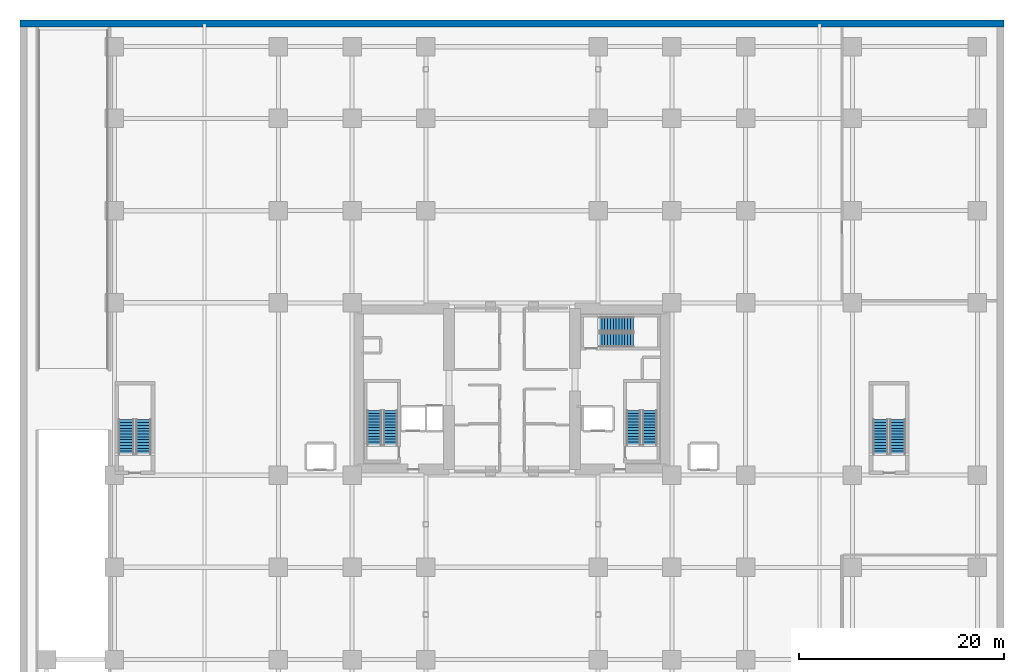
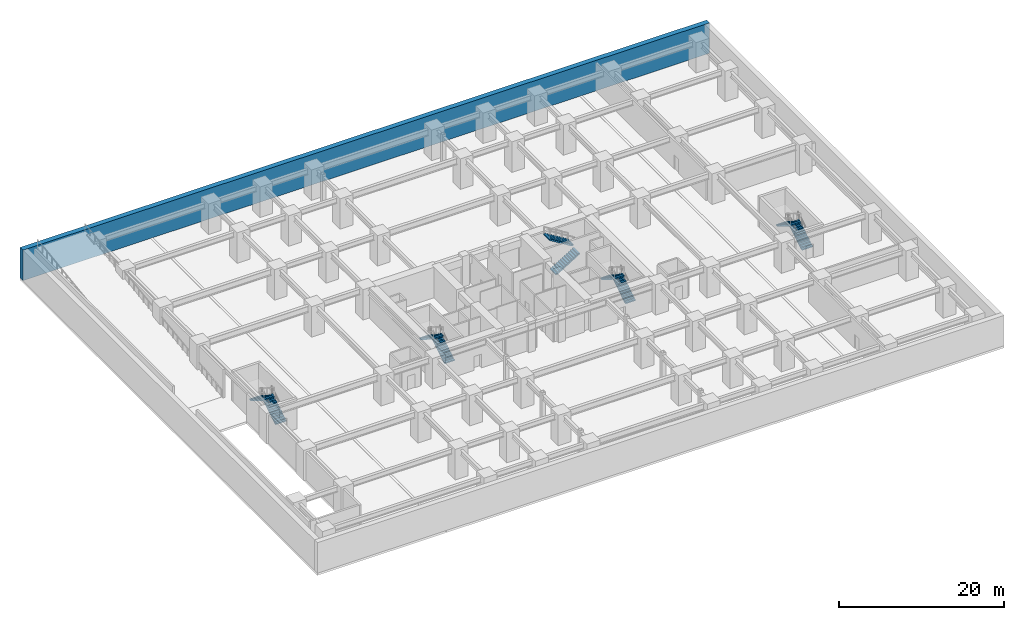
# One storey, part 12 of 20: 10 stair flights, 1 wall, 5 elements without a shape of their own.
"""IFC4 building model written with IfcOpenShell, lengths in metres."""

from ifc_helpers import new_model, si_unit, direction, frame, frame_2d, origin, place, context, subcontext, project, spatial, polyline, rectangle, outline, extrude, material, layer, layer_set, type_object, element, aggregate, save


model = new_model("IFC4")

# Units and contexts
model_context = context("Model", 3, precision=1e-05, world=origin(), true_north=direction((0.0, 1.0)))
body_context = subcontext(model_context, "Body", "Model", "MODEL_VIEW")
ifc_project = project(units=[si_unit("LENGTHUNIT", "METRE"), si_unit("AREAUNIT", "SQUARE_METRE"), si_unit("VOLUMEUNIT", "CUBIC_METRE"), si_unit("PLANEANGLEUNIT", "RADIAN"), si_unit("MASSUNIT", "GRAM", prefix="KILO")], contexts=[model_context])

# Site, building, storey
site_placement = place(None, origin())
site = spatial("IfcSite", under=ifc_project, at=site_placement, CompositionType="ELEMENT")
building_placement = place(site_placement, origin())
building = spatial("IfcBuilding", under=site, at=building_placement, Name="Kiyonajd Concourse Tower", CompositionType="ELEMENT")
storey_placement = place(building_placement, frame((0.0, 0.0, -4.5)))
storey = spatial("IfcBuildingStorey", under=building, at=storey_placement, Name="B1", CompositionType="ELEMENT", Elevation=-4.5)

# Wall
ifc_material_1 = material(Name="Concrete C50/60", Category="concrete")
ifc_layer = layer(ifc_material_1, 0.699951171875)
ifc_layer_set = layer_set([ifc_layer], Name="Concrete C50/60")
wall_type = type_object("IfcWallType", Name="WL-RET-700", PredefinedType="SOLIDWALL", material=ifc_layer_set)
wall_placement = place(storey_placement, frame((96.0, 71.64990234375, 0.0), z_axis=(0.0, 0.0, 1.0), x_axis=(-1.0, 0.0, 0.0)))
element("IfcWall", 1, at=wall_placement, inside=storey, type_object=wall_type, Name="B1 North Basement Retaining Wall", PredefinedType="SOLIDWALL", context=body_context, shape_type="SweptSolid", body=[
    extrude(rectangle(XDim=96.0, YDim=0.699951171875, at=frame_2d((48.0, 0.0))), origin(), (0.0, 0.0, 1.0), 4.5),
])

# Stair, stair flights
ifc_material_2 = material(Name="Concrete C40/50", Category="concrete")
stair_type_1 = type_object("IfcStairType", Name="ST-POD-1500", PredefinedType="HALF_TURN_STAIR", material=ifc_material_2)
stair_1_placement = place(storey_placement, origin())
stair_1 = element("IfcStair", 2, at=stair_1_placement, inside=storey, type_object=stair_type_1, Name="B1 West Podium Exit Stair ST4", PredefinedType="HALF_TURN_STAIR")
stair_flight_type_1 = type_object("IfcStairFlightType", Name="SF-POD-1500", PredefinedType="STRAIGHT", material=ifc_material_2)
stair_flight_1_placement = place(storey_placement, frame((12.050048828125, 29.64990234375, 0.0), z_axis=(0.0, 0.0, 1.0), x_axis=(0.0, 1.0, 0.0)))
stair_flight_1 = element("IfcStairFlight", 3, at=stair_flight_1_placement, type_object=stair_flight_type_1, Name="ST4 flight 1", NumberOfRisers=13, NumberOfTreads=12, PredefinedType="STRAIGHT", RiserHeight=0.173076923, TreadLength=0.28, context=body_context, shape_type="SweptSolid", body=[
    extrude(outline(polyline([(0.0, 0.0), (0.0, 0.173095703125), (0.280029296875, 0.173095703125), (0.280029296875, 0.34619140625), (0.56005859375, 0.34619140625), (0.56005859375, 0.519287109375), (0.840087890625, 0.519287109375), (0.840087890625, 0.6923828125), (1.1201171875, 0.6923828125), (1.1201171875, 0.865478515625), (1.39990234375, 0.865478515625), (1.39990234375, 1.03857421875), (1.679931640625, 1.03857421875), (1.679931640625, 1.21142578125), (1.9599609375, 1.21142578125), (1.9599609375, 1.384521484375), (2.239990234375, 1.384521484375), (2.239990234375, 1.5576171875), (2.52001953125, 1.5576171875), (2.52001953125, 1.730712890625), (2.800048828125, 1.730712890625), (2.800048828125, 1.90380859375), (3.080078125, 1.90380859375), (3.080078125, 2.076904296875), (3.360107421875, 2.076904296875), (3.360107421875, 2.25), (3.360107421875, 1.900634765625), (0.28515625, 0.0), (0.0, 0.0)])), frame((0.0, 0.75, 0.0), z_axis=(0.0, -1.0, 0.0), x_axis=(1.0, 0.0, 0.0)), (0.0, 0.0, 1.0), 1.5),
])
stair_flight_2_placement = place(storey_placement, frame((10.35009765625, 33.010009765625, 2.25), z_axis=(0.0, 0.0, 1.0), x_axis=(0.0, -1.0, 0.0)))
stair_flight_2 = element("IfcStairFlight", 4, at=stair_flight_2_placement, type_object=stair_flight_type_1, Name="ST4 flight 2", NumberOfRisers=13, NumberOfTreads=12, PredefinedType="STRAIGHT", RiserHeight=0.173076923, TreadLength=0.28, context=body_context, shape_type="SweptSolid", body=[
    extrude(outline(polyline([(0.0, 0.0), (0.0, 0.173095703125), (0.280029296875, 0.173095703125), (0.280029296875, 0.34619140625), (0.56005859375, 0.34619140625), (0.56005859375, 0.519287109375), (0.840087890625, 0.519287109375), (0.840087890625, 0.6923828125), (1.1201171875, 0.6923828125), (1.1201171875, 0.865478515625), (1.39990234375, 0.865478515625), (1.39990234375, 1.03857421875), (1.679931640625, 1.03857421875), (1.679931640625, 1.21142578125), (1.9599609375, 1.21142578125), (1.9599609375, 1.384521484375), (2.239990234375, 1.384521484375), (2.239990234375, 1.5576171875), (2.52001953125, 1.5576171875), (2.52001953125, 1.730712890625), (2.800048828125, 1.730712890625), (2.800048828125, 1.90380859375), (3.080078125, 1.90380859375), (3.080078125, 2.076904296875), (3.360107421875, 2.076904296875), (3.360107421875, 2.25), (3.360107421875, 1.900634765625), (0.28515625, 0.0), (0.0, 0.0)])), frame((0.0, 0.75, 0.0), z_axis=(0.0, -1.0, 0.0), x_axis=(1.0, 0.0, 0.0)), (0.0, 0.0, 1.0), 1.5),
])
aggregate(stair_1, [stair_flight_1, stair_flight_2])

stair_2_placement = place(storey_placement, origin())
stair_2 = element("IfcStair", 5, at=stair_2_placement, inside=storey, type_object=stair_type_1, Name="B1 East Podium Exit Stair ST5", PredefinedType="HALF_TURN_STAIR")
stair_flight_3_placement = place(storey_placement, frame((85.64990234375, 29.64990234375, 0.0), z_axis=(0.0, 0.0, 1.0), x_axis=(0.0, 1.0, 0.0)))
stair_flight_3 = element("IfcStairFlight", 6, at=stair_flight_3_placement, type_object=stair_flight_type_1, Name="ST5 flight 1", NumberOfRisers=13, NumberOfTreads=12, PredefinedType="STRAIGHT", RiserHeight=0.173076923, TreadLength=0.28, context=body_context, shape_type="SweptSolid", body=[
    extrude(outline(polyline([(0.0, 0.0), (0.0, 0.173095703125), (0.280029296875, 0.173095703125), (0.280029296875, 0.34619140625), (0.56005859375, 0.34619140625), (0.56005859375, 0.519287109375), (0.840087890625, 0.519287109375), (0.840087890625, 0.6923828125), (1.1201171875, 0.6923828125), (1.1201171875, 0.865478515625), (1.39990234375, 0.865478515625), (1.39990234375, 1.03857421875), (1.679931640625, 1.03857421875), (1.679931640625, 1.21142578125), (1.9599609375, 1.21142578125), (1.9599609375, 1.384521484375), (2.239990234375, 1.384521484375), (2.239990234375, 1.5576171875), (2.52001953125, 1.5576171875), (2.52001953125, 1.730712890625), (2.800048828125, 1.730712890625), (2.800048828125, 1.90380859375), (3.080078125, 1.90380859375), (3.080078125, 2.076904296875), (3.360107421875, 2.076904296875), (3.360107421875, 2.25), (3.360107421875, 1.900634765625), (0.28515625, 0.0), (0.0, 0.0)])), frame((0.0, 0.75, 0.0), z_axis=(0.0, -1.0, 0.0), x_axis=(1.0, 0.0, 0.0)), (0.0, 0.0, 1.0), 1.5),
])
stair_flight_4_placement = place(storey_placement, frame((83.949951171875, 33.010009765625, 2.25), z_axis=(0.0, 0.0, 1.0), x_axis=(0.0, -1.0, 0.0)))
stair_flight_4 = element("IfcStairFlight", 7, at=stair_flight_4_placement, type_object=stair_flight_type_1, Name="ST5 flight 2", NumberOfRisers=13, NumberOfTreads=12, PredefinedType="STRAIGHT", RiserHeight=0.173076923, TreadLength=0.28, context=body_context, shape_type="SweptSolid", body=[
    extrude(outline(polyline([(0.0, 0.0), (0.0, 0.173095703125), (0.280029296875, 0.173095703125), (0.280029296875, 0.34619140625), (0.56005859375, 0.34619140625), (0.56005859375, 0.519287109375), (0.840087890625, 0.519287109375), (0.840087890625, 0.6923828125), (1.1201171875, 0.6923828125), (1.1201171875, 0.865478515625), (1.39990234375, 0.865478515625), (1.39990234375, 1.03857421875), (1.679931640625, 1.03857421875), (1.679931640625, 1.21142578125), (1.9599609375, 1.21142578125), (1.9599609375, 1.384521484375), (2.239990234375, 1.384521484375), (2.239990234375, 1.5576171875), (2.52001953125, 1.5576171875), (2.52001953125, 1.730712890625), (2.800048828125, 1.730712890625), (2.800048828125, 1.90380859375), (3.080078125, 1.90380859375), (3.080078125, 2.076904296875), (3.360107421875, 2.076904296875), (3.360107421875, 2.25), (3.360107421875, 1.900634765625), (0.28515625, 0.0), (0.0, 0.0)])), frame((0.0, 0.75, 0.0), z_axis=(0.0, -1.0, 0.0), x_axis=(1.0, 0.0, 0.0)), (0.0, 0.0, 1.0), 1.5),
])
aggregate(stair_2, [stair_flight_3, stair_flight_4])

stair_type_2 = type_object("IfcStairType", Name="ST-DLG-26R", PredefinedType="HALF_TURN_STAIR", material=ifc_material_2)
stair_3_placement = place(storey_placement, origin())
stair_3 = element("IfcStair", 8, at=stair_3_placement, inside=storey, type_object=stair_type_2, Name="B1 Protected Exit Stair ST1", PredefinedType="HALF_TURN_STAIR")
stair_flight_type_2 = type_object("IfcStairFlightType", Name="SF-STR-26R", PredefinedType="STRAIGHT", material=ifc_material_2)
stair_flight_5_placement = place(storey_placement, frame((36.14990234375, 30.550048828125, 0.0), z_axis=(0.0, 0.0, 1.0), x_axis=(0.0, 1.0, 0.0)))
stair_flight_5 = element("IfcStairFlight", 9, at=stair_flight_5_placement, type_object=stair_flight_type_2, Name="ST1 flight 1", NumberOfRisers=13, NumberOfTreads=12, PredefinedType="STRAIGHT", RiserHeight=0.173076923, TreadLength=0.28, context=body_context, shape_type="SweptSolid", body=[
    extrude(outline(polyline([(0.0, 0.0), (0.0, 0.173095703125), (0.280029296875, 0.173095703125), (0.280029296875, 0.34619140625), (0.56005859375, 0.34619140625), (0.56005859375, 0.519287109375), (0.840087890625, 0.519287109375), (0.840087890625, 0.6923828125), (1.1201171875, 0.6923828125), (1.1201171875, 0.865478515625), (1.39990234375, 0.865478515625), (1.39990234375, 1.03857421875), (1.679931640625, 1.03857421875), (1.679931640625, 1.21142578125), (1.9599609375, 1.21142578125), (1.9599609375, 1.384521484375), (2.239990234375, 1.384521484375), (2.239990234375, 1.5576171875), (2.52001953125, 1.5576171875), (2.52001953125, 1.730712890625), (2.800048828125, 1.730712890625), (2.800048828125, 1.90380859375), (3.080078125, 1.90380859375), (3.080078125, 2.076904296875), (3.360107421875, 2.076904296875), (3.360107421875, 2.25), (3.360107421875, 1.900634765625), (0.28515625, 0.0), (0.0, 0.0)])), frame((0.0, 0.699951171875, 0.0), z_axis=(0.0, -1.0, 0.0), x_axis=(1.0, 0.0, 0.0)), (0.0, 0.0, 1.0), 1.39990234375),
])
stair_flight_6_placement = place(storey_placement, frame((34.550048828125, 33.909912109375, 2.25), z_axis=(0.0, 0.0, 1.0), x_axis=(0.0, -1.0, 0.0)))
stair_flight_6 = element("IfcStairFlight", 10, at=stair_flight_6_placement, type_object=stair_flight_type_2, Name="ST1 flight 2", NumberOfRisers=13, NumberOfTreads=12, PredefinedType="STRAIGHT", RiserHeight=0.173076923, TreadLength=0.28, context=body_context, shape_type="SweptSolid", body=[
    extrude(outline(polyline([(0.0, 0.0), (0.0, 0.173095703125), (0.280029296875, 0.173095703125), (0.280029296875, 0.34619140625), (0.56005859375, 0.34619140625), (0.56005859375, 0.519287109375), (0.840087890625, 0.519287109375), (0.840087890625, 0.6923828125), (1.1201171875, 0.6923828125), (1.1201171875, 0.865478515625), (1.39990234375, 0.865478515625), (1.39990234375, 1.03857421875), (1.679931640625, 1.03857421875), (1.679931640625, 1.21142578125), (1.9599609375, 1.21142578125), (1.9599609375, 1.384521484375), (2.239990234375, 1.384521484375), (2.239990234375, 1.5576171875), (2.52001953125, 1.5576171875), (2.52001953125, 1.730712890625), (2.800048828125, 1.730712890625), (2.800048828125, 1.90380859375), (3.080078125, 1.90380859375), (3.080078125, 2.076904296875), (3.360107421875, 2.076904296875), (3.360107421875, 2.25), (3.360107421875, 1.900634765625), (0.28515625, 0.0), (0.0, 0.0)])), frame((0.0, 0.699951171875, 0.0), z_axis=(0.0, -1.0, 0.0), x_axis=(1.0, 0.0, 0.0)), (0.0, 0.0, 1.0), 1.39990234375),
])
aggregate(stair_3, [stair_flight_5, stair_flight_6])

stair_4_placement = place(storey_placement, origin())
stair_4 = element("IfcStair", 11, at=stair_4_placement, inside=storey, type_object=stair_type_2, Name="B1 Protected Exit Stair ST2", PredefinedType="HALF_TURN_STAIR")
stair_flight_7_placement = place(storey_placement, frame((61.449951171875, 30.550048828125, 0.0), z_axis=(0.0, 0.0, 1.0), x_axis=(0.0, 1.0, 0.0)))
stair_flight_7 = element("IfcStairFlight", 12, at=stair_flight_7_placement, type_object=stair_flight_type_2, Name="ST2 flight 1", NumberOfRisers=13, NumberOfTreads=12, PredefinedType="STRAIGHT", RiserHeight=0.173076923, TreadLength=0.28, context=body_context, shape_type="SweptSolid", body=[
    extrude(outline(polyline([(0.0, 0.0), (0.0, 0.173095703125), (0.280029296875, 0.173095703125), (0.280029296875, 0.34619140625), (0.56005859375, 0.34619140625), (0.56005859375, 0.519287109375), (0.840087890625, 0.519287109375), (0.840087890625, 0.6923828125), (1.1201171875, 0.6923828125), (1.1201171875, 0.865478515625), (1.39990234375, 0.865478515625), (1.39990234375, 1.03857421875), (1.679931640625, 1.03857421875), (1.679931640625, 1.21142578125), (1.9599609375, 1.21142578125), (1.9599609375, 1.384521484375), (2.239990234375, 1.384521484375), (2.239990234375, 1.5576171875), (2.52001953125, 1.5576171875), (2.52001953125, 1.730712890625), (2.800048828125, 1.730712890625), (2.800048828125, 1.90380859375), (3.080078125, 1.90380859375), (3.080078125, 2.076904296875), (3.360107421875, 2.076904296875), (3.360107421875, 2.25), (3.360107421875, 1.900634765625), (0.28515625, 0.0), (0.0, 0.0)])), frame((0.0, 0.699951171875, 0.0), z_axis=(0.0, -1.0, 0.0), x_axis=(1.0, 0.0, 0.0)), (0.0, 0.0, 1.0), 1.39990234375),
])
stair_flight_8_placement = place(storey_placement, frame((59.85009765625, 33.909912109375, 2.25), z_axis=(0.0, 0.0, 1.0), x_axis=(0.0, -1.0, 0.0)))
stair_flight_8 = element("IfcStairFlight", 13, at=stair_flight_8_placement, type_object=stair_flight_type_2, Name="ST2 flight 2", NumberOfRisers=13, NumberOfTreads=12, PredefinedType="STRAIGHT", RiserHeight=0.173076923, TreadLength=0.28, context=body_context, shape_type="SweptSolid", body=[
    extrude(outline(polyline([(0.0, 0.0), (0.0, 0.173095703125), (0.280029296875, 0.173095703125), (0.280029296875, 0.34619140625), (0.56005859375, 0.34619140625), (0.56005859375, 0.519287109375), (0.840087890625, 0.519287109375), (0.840087890625, 0.6923828125), (1.1201171875, 0.6923828125), (1.1201171875, 0.865478515625), (1.39990234375, 0.865478515625), (1.39990234375, 1.03857421875), (1.679931640625, 1.03857421875), (1.679931640625, 1.21142578125), (1.9599609375, 1.21142578125), (1.9599609375, 1.384521484375), (2.239990234375, 1.384521484375), (2.239990234375, 1.5576171875), (2.52001953125, 1.5576171875), (2.52001953125, 1.730712890625), (2.800048828125, 1.730712890625), (2.800048828125, 1.90380859375), (3.080078125, 1.90380859375), (3.080078125, 2.076904296875), (3.360107421875, 2.076904296875), (3.360107421875, 2.25), (3.360107421875, 1.900634765625), (0.28515625, 0.0), (0.0, 0.0)])), frame((0.0, 0.699951171875, 0.0), z_axis=(0.0, -1.0, 0.0), x_axis=(1.0, 0.0, 0.0)), (0.0, 0.0, 1.0), 1.39990234375),
])
aggregate(stair_4, [stair_flight_7, stair_flight_8])

stair_5_placement = place(storey_placement, origin())
stair_5 = element("IfcStair", 14, at=stair_5_placement, inside=storey, type_object=stair_type_2, Name="B1 Protected Exit Stair ST3", PredefinedType="HALF_TURN_STAIR")
stair_flight_9_placement = place(storey_placement, frame((56.47998046875, 40.780029296875, 0.0), z_axis=(0.0, 0.0, 1.0), x_axis=(1.0, 0.0, 0.0)))
stair_flight_9 = element("IfcStairFlight", 15, at=stair_flight_9_placement, type_object=stair_flight_type_2, Name="ST3 flight 1", NumberOfRisers=13, NumberOfTreads=12, PredefinedType="STRAIGHT", RiserHeight=0.173076923, TreadLength=0.28, context=body_context, shape_type="SweptSolid", body=[
    extrude(outline(polyline([(0.0, 0.0), (0.0, 0.173095703125), (0.280029296875, 0.173095703125), (0.280029296875, 0.34619140625), (0.56005859375, 0.34619140625), (0.56005859375, 0.519287109375), (0.840087890625, 0.519287109375), (0.840087890625, 0.6923828125), (1.1201171875, 0.6923828125), (1.1201171875, 0.865478515625), (1.39990234375, 0.865478515625), (1.39990234375, 1.03857421875), (1.679931640625, 1.03857421875), (1.679931640625, 1.21142578125), (1.9599609375, 1.21142578125), (1.9599609375, 1.384521484375), (2.239990234375, 1.384521484375), (2.239990234375, 1.5576171875), (2.52001953125, 1.5576171875), (2.52001953125, 1.730712890625), (2.800048828125, 1.730712890625), (2.800048828125, 1.90380859375), (3.080078125, 1.90380859375), (3.080078125, 2.076904296875), (3.360107421875, 2.076904296875), (3.360107421875, 2.25), (3.360107421875, 1.900634765625), (0.28515625, 0.0), (0.0, 0.0)])), frame((0.0, 0.699951171875, 0.0), z_axis=(0.0, -1.0, 0.0), x_axis=(1.0, 0.0, 0.0)), (0.0, 0.0, 1.0), 1.39990234375),
])
stair_flight_10_placement = place(storey_placement, frame((59.840087890625, 42.320068359375, 2.25), z_axis=(0.0, 0.0, 1.0), x_axis=(-1.0, 0.0, 0.0)))
stair_flight_10 = element("IfcStairFlight", 16, at=stair_flight_10_placement, type_object=stair_flight_type_2, Name="ST3 flight 2", NumberOfRisers=13, NumberOfTreads=12, PredefinedType="STRAIGHT", RiserHeight=0.173076923, TreadLength=0.28, context=body_context, shape_type="SweptSolid", body=[
    extrude(outline(polyline([(0.0, 0.0), (0.0, 0.173095703125), (0.280029296875, 0.173095703125), (0.280029296875, 0.34619140625), (0.56005859375, 0.34619140625), (0.56005859375, 0.519287109375), (0.840087890625, 0.519287109375), (0.840087890625, 0.6923828125), (1.1201171875, 0.6923828125), (1.1201171875, 0.865478515625), (1.39990234375, 0.865478515625), (1.39990234375, 1.03857421875), (1.679931640625, 1.03857421875), (1.679931640625, 1.21142578125), (1.9599609375, 1.21142578125), (1.9599609375, 1.384521484375), (2.239990234375, 1.384521484375), (2.239990234375, 1.5576171875), (2.52001953125, 1.5576171875), (2.52001953125, 1.730712890625), (2.800048828125, 1.730712890625), (2.800048828125, 1.90380859375), (3.080078125, 1.90380859375), (3.080078125, 2.076904296875), (3.360107421875, 2.076904296875), (3.360107421875, 2.25), (3.360107421875, 1.900634765625), (0.28515625, 0.0), (0.0, 0.0)])), frame((0.0, 0.699951171875, 0.0), z_axis=(0.0, -1.0, 0.0), x_axis=(1.0, 0.0, 0.0)), (0.0, 0.0, 1.0), 1.39990234375),
])
aggregate(stair_5, [stair_flight_9, stair_flight_10])

save(model, "model.ifc")
